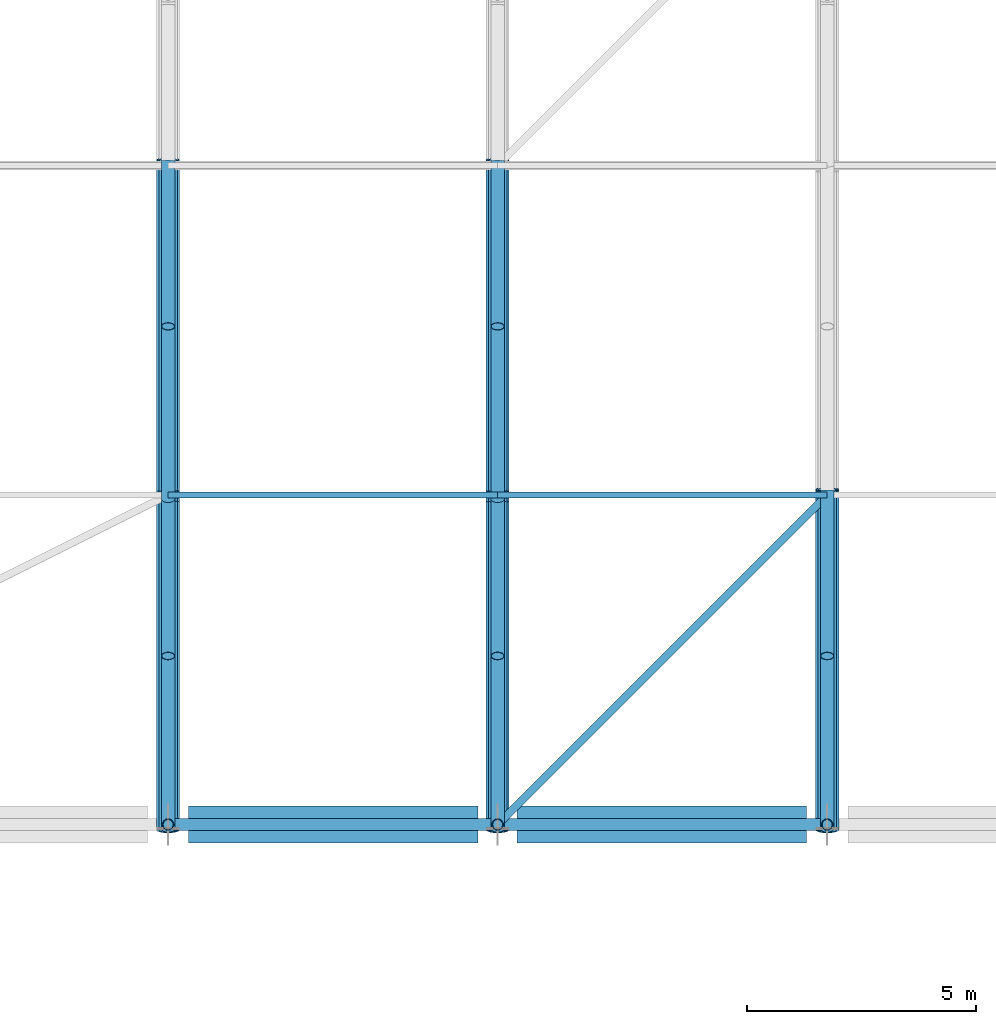
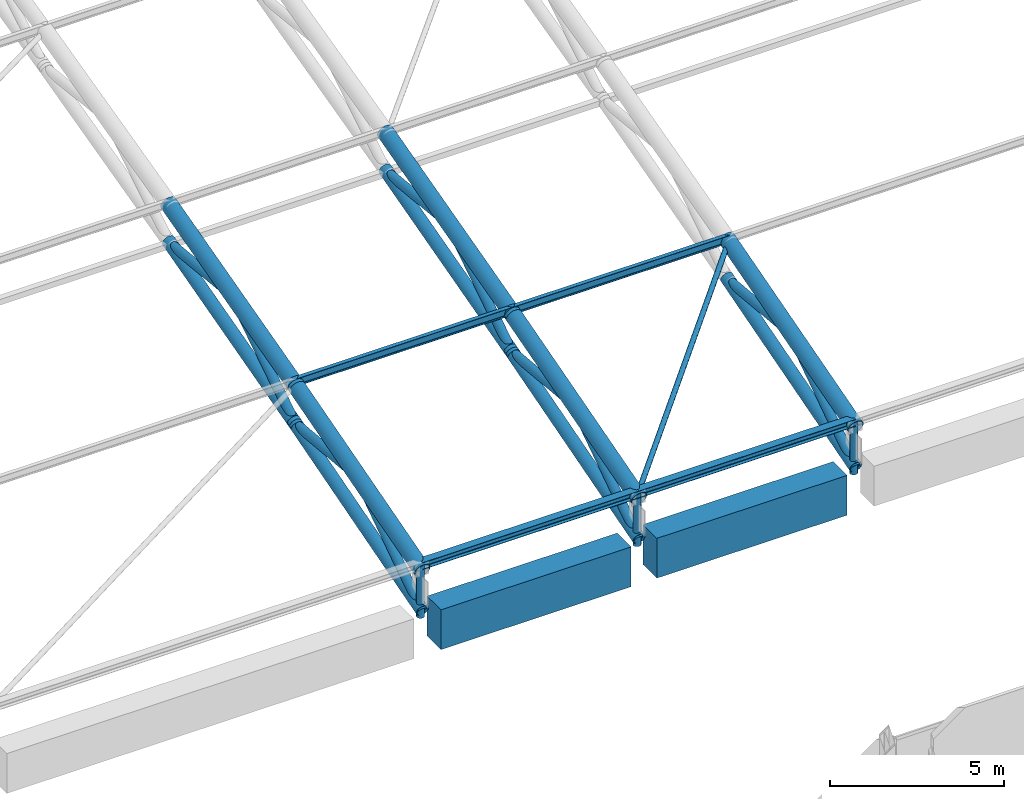
# One storey, part 28 of 193: 28 members, 2 beams.
"""IFC4 building model written with IfcOpenShell, lengths in metres."""

import ifcopenshell
import ifcopenshell.guid

model = None  # the IFC model being written
_history = None  # IfcOwnerHistory: only IFC2X3 demands one
_inside = {}  # id of a spatial element -> (the spatial element, [elements in it])
_under = {}  # id of a project, library or spatial element -> (it, [spatial elements below it])
_declared = {}  # id of a project -> (the project, [libraries it declares])
_typed = {}  # id of a type object -> (the type object, [elements of that type])
_made_of = {}  # id of a material, layer set ... -> (it, [elements and type objects made of it])


def new_model(schema):
    """Start an empty IFC model of exactly this schema.

    Asked for "IFC4X3", IfcOpenShell would pick the latest addendum, in which some entities
    have other attributes; the version numbers below select the first issue.
    IFC2X3 requires an IfcOwnerHistory on every rooted entity: one is made here for all.
    """
    global model, _history
    if schema == "IFC4X3":
        model = ifcopenshell.file(schema_version=(4, 3, 0, 0))
    else:
        model = ifcopenshell.file(schema=schema)
    _inside.clear()
    _under.clear()
    _declared.clear()
    _typed.clear()
    _made_of.clear()
    _history = None
    if model.schema == "IFC2X3":
        org = make("IfcOrganization", Name="unknown")
        user = make(
            "IfcPersonAndOrganization",
            ThePerson=make("IfcPerson", FamilyName="unknown"),
            TheOrganization=org,
        )
        app = make(
            "IfcApplication",
            ApplicationDeveloper=org,
            Version="unknown",
            ApplicationFullName="unknown",
            ApplicationIdentifier="unknown",
        )
        _history = make(
            "IfcOwnerHistory",
            OwningUser=user,
            OwningApplication=app,
            ChangeAction="ADDED",
            CreationDate=0,
        )
    return model


def make(cls, **values):
    """One entity of the class cls with the attributes given. An attribute that is None is left unset."""
    return model.create_entity(
        cls, **{name: value for name, value in values.items() if value is not None}
    )


def rooted(cls, **values):
    """An entity with a GlobalId (a new one), such as an element, a storey or a relation."""
    return make(cls, GlobalId=ifcopenshell.guid.new(), OwnerHistory=_history, **values)


def si_unit(unit_type, name, prefix=None):
    """IfcSIUnit, for example si_unit("LENGTHUNIT", "METRE", prefix="MILLI")."""
    return make("IfcSIUnit", UnitType=unit_type, Prefix=prefix, Name=name)


def assignment(units):
    """IfcUnitAssignment: the units of a project."""
    return None if units is None else make("IfcUnitAssignment", Units=units)


def point(xyz):
    """IfcCartesianPoint."""
    return None if xyz is None else make("IfcCartesianPoint", Coordinates=xyz)


def direction(xyz):
    """IfcDirection."""
    return None if xyz is None else make("IfcDirection", DirectionRatios=xyz)


def frame(location, z_axis=None, x_axis=None):
    """IfcAxis2Placement3D, a coordinate frame: its origin and axes. An axis left out is left unset."""
    return make(
        "IfcAxis2Placement3D",
        Location=point(location),
        Axis=direction(z_axis),
        RefDirection=direction(x_axis),
    )


def frame_2d(location, x_axis=None):
    """IfcAxis2Placement2D, a coordinate frame in the plane: its origin and x axis."""
    return make(
        "IfcAxis2Placement2D", Location=point(location), RefDirection=direction(x_axis)
    )


def origin():
    """The frame at (0, 0, 0) with its axes left unset."""
    return frame((0.0, 0.0, 0.0))


def origin_2d():
    """The frame at (0, 0) in the plane with its x axis left unset."""
    return frame_2d((0.0, 0.0))


def place(relative_to, where):
    """IfcLocalPlacement: puts the frame where relative to a parent placement (None: the world)."""
    return make(
        "IfcLocalPlacement", PlacementRelTo=relative_to, RelativePlacement=where
    )


def context(
    kind, dimensions, precision=None, world=None, true_north=None, identifier=None
):
    """IfcGeometricRepresentationContext, for example the 3D "Model" context."""
    return make(
        "IfcGeometricRepresentationContext",
        ContextIdentifier=identifier,
        ContextType=kind,
        CoordinateSpaceDimension=dimensions,
        Precision=precision,
        WorldCoordinateSystem=world,
        TrueNorth=true_north,
    )


def subcontext(parent, identifier, kind, view, scale=None):
    """IfcGeometricRepresentationSubContext, for example "Body" below "Model"."""
    return make(
        "IfcGeometricRepresentationSubContext",
        ContextIdentifier=identifier,
        ContextType=kind,
        ParentContext=parent,
        TargetScale=scale,
        TargetView=view,
    )


def project(units=None, contexts=None):
    """IfcProject with its units and contexts."""
    return rooted(
        "IfcProject",
        Name="project",
        RepresentationContexts=contexts,
        UnitsInContext=assignment(units),
    )


def spatial(cls, under=None, at=None, **own):
    """A site, building, storey or space (cls), placed at a placement, below another one or the project."""
    s = rooted(cls, ObjectPlacement=at, **own)
    if under is not None:
        _under.setdefault(under.id(), (under, []))[1].append(s)
    return s


def profile(cls, at=None, kind="AREA", **sizes):
    """A parametric profile (cls). Its sizes go by their IFC names, for example OverallWidth=200.0."""
    return make(cls, ProfileType=kind, Position=at, **sizes)


def rectangle(**sizes):
    """IfcRectangleProfileDef."""
    return profile("IfcRectangleProfileDef", **sizes)


def hollow_circle(**sizes):
    """IfcCircleHollowProfileDef."""
    return profile("IfcCircleHollowProfileDef", **sizes)


def i_section(**sizes):
    """IfcIShapeProfileDef."""
    return profile("IfcIShapeProfileDef", **sizes)


def extrude(swept, where, along, depth):
    """IfcExtrudedAreaSolid: the profile swept, set in the frame where, extruded along a direction by depth."""
    return make(
        "IfcExtrudedAreaSolid",
        SweptArea=swept,
        Position=where,
        ExtrudedDirection=direction(along),
        Depth=depth,
    )


def shape(context_of_items, identifier, shape_type, items):
    """IfcShapeRepresentation: the items that make up one representation, for example the "Body"."""
    return make(
        "IfcShapeRepresentation",
        ContextOfItems=context_of_items,
        RepresentationIdentifier=identifier,
        RepresentationType=shape_type,
        Items=items,
    )


def material(Name=None, Category=None):
    """IfcMaterial."""
    return make("IfcMaterial", Name=Name, Category=Category)


def material_profile(
    of_material, cross_section, Name=None, Category=None, Priority=None
):
    """IfcMaterialProfile: a cross section and its material."""
    return make(
        "IfcMaterialProfile",
        Name=Name,
        Material=of_material,
        Profile=cross_section,
        Priority=Priority,
        Category=Category,
    )


def profile_set(profiles, Name=None, composite=None):
    """IfcMaterialProfileSet."""
    return make(
        "IfcMaterialProfileSet",
        Name=Name,
        MaterialProfiles=profiles,
        CompositeProfile=composite,
    )


def made_of(thing, what):
    """Note that an element or type object is made of a material, layer set ...; save() writes the relation."""
    if what is not None:
        _made_of.setdefault(what.id(), (what, []))[1].append(thing)
    return thing


def type_object(cls, material=None, **own):
    """A type object (cls), such as IfcWallType, which elements share."""
    return made_of(rooted(cls, **own), material)


def element(
    cls,
    number,
    at=None,
    inside=None,
    cuts=None,
    type_object=None,
    material=None,
    context=None,
    identifier="Body",
    shape_type=None,
    held_by="IfcProductDefinitionShape",
    body=None,
    shapes=None,
    **own,
):
    """One element of the class cls, such as IfcWall. Its Tag is "e" and its number.

    at: its placement. inside: the storey or other place that contains it. cuts: it is an
    opening in that element (IfcRelVoidsElement). A single representation is given by context,
    identifier, shape_type and body (its items); several are given by shapes. held_by: the class
    of the entity that holds the representations. save() writes the other relations.
    """
    e = rooted(cls, Tag="e%d" % number, ObjectPlacement=at, **own)
    if body is not None:
        shapes = [shape(context, identifier, shape_type, body)]
    if shapes is not None:
        e.Representation = make(held_by, Representations=shapes)
    if inside is not None:
        _inside.setdefault(inside.id(), (inside, []))[1].append(e)
    if cuts is not None:
        rooted(
            "IfcRelVoidsElement", RelatingBuildingElement=cuts, RelatedOpeningElement=e
        )
    if type_object is not None:
        _typed.setdefault(type_object.id(), (type_object, []))[1].append(e)
    return made_of(e, material)


def aggregate(whole, parts):
    """IfcRelAggregates: a whole, such as a stair, and the parts it consists of."""
    return rooted("IfcRelAggregates", RelatingObject=whole, RelatedObjects=parts)


def save(model, path):
    """Write the relations noted so far, then the file.

    IfcRelAggregates (storeys below a building ...), IfcRelContainedInSpatialStructure (elements
    in a storey), IfcRelDefinesByType, IfcRelAssociatesMaterial and IfcRelDeclares: one each for
    every whole, place, type object, material and project.
    """
    for whole, parts in _under.values():
        aggregate(whole, parts)
    for where, things in _inside.values():
        rooted(
            "IfcRelContainedInSpatialStructure",
            RelatedElements=things,
            RelatingStructure=where,
        )
    for kind, things in _typed.values():
        rooted("IfcRelDefinesByType", RelatedObjects=things, RelatingType=kind)
    for what, things in _made_of.values():
        rooted("IfcRelAssociatesMaterial", RelatedObjects=things, RelatingMaterial=what)
    for by, libraries in _declared.values():
        rooted("IfcRelDeclares", RelatingContext=by, RelatedDefinitions=libraries)
    model.write(path)


model = new_model("IFC4")

# Units and contexts
model_context = context("Model", 3, precision=1e-05, world=origin(), true_north=direction((0.0, 1.0)))
body_context = subcontext(model_context, "Body", "Model", "MODEL_VIEW")
ifc_project = project(units=[si_unit("LENGTHUNIT", "METRE"), si_unit("AREAUNIT", "SQUARE_METRE"), si_unit("VOLUMEUNIT", "CUBIC_METRE"), si_unit("PLANEANGLEUNIT", "RADIAN"), si_unit("MASSUNIT", "GRAM", prefix="KILO")], contexts=[model_context])

# Site, building, storey
site_placement = place(None, origin())
site = spatial("IfcSite", under=ifc_project, at=site_placement, CompositionType="ELEMENT")
building_placement = place(site_placement, origin())
building = spatial("IfcBuilding", under=site, at=building_placement, Name="Cendralis Lancet Convention Centre", CompositionType="ELEMENT")
storey_placement = place(building_placement, frame((0.0, 0.0, 10.199951171875)))
storey = spatial("IfcBuildingStorey", under=building, at=storey_placement, Name="L02", CompositionType="ELEMENT", Elevation=10.199951171875)

# Beams
ifc_material_1 = material(Name="Concrete G40 (C40/50)", Category="concrete")
ifc_material_profile_1 = material_profile(ifc_material_1, rectangle(XDim=0.800048828125, YDim=1.39990234375, at=origin_2d()), Name="RCB 800x1400")
ifc_profile_set_1 = profile_set([ifc_material_profile_1], Name="Concrete G40 (C40/50)")
beam_type = type_object("IfcBeamType", Name="STR-BM-BG17", PredefinedType="BEAM", material=ifc_profile_set_1)
for number, where, z_axis, x_axis, name in (
    (1, (36.449951171875, 50.39990234375, 1.5), (1.0, 0.0, 0.0), (0.0, 1.0, 0.0), "L02 Beam BG17 #1313"),
    (2, (43.625, 50.39990234375, 1.5), (1.0, 0.0, 0.0), (0.0, 1.0, 0.0), "L02 Beam BG17 #1314"),
):
    element("IfcBeam", number, at=place(storey_placement, frame(where, z_axis=z_axis, x_axis=x_axis)), inside=storey, type_object=beam_type, Name=name, PredefinedType="BEAM", context=body_context, shape_type="SweptSolid", body=[
        extrude(rectangle(XDim=0.800048828125, YDim=1.39990234375, at=origin_2d()), origin(), (0.0, 0.0, 1.0), 6.324951171875),
    ])

# Members
ifc_material_2 = material(Name="Steel S355", Category="steel")
ifc_material_profile_2 = material_profile(ifc_material_2, hollow_circle(Radius=0.084228515625, WallThickness=0.008056640625, at=origin_2d()), Name="CHS 168.3x8.0")
ifc_profile_set_2 = profile_set([ifc_material_profile_2], Name="Steel S355")
member_type_1 = type_object("IfcMemberType", Name="STR-BR-RB01", PredefinedType="BRACE", material=ifc_profile_set_2)
member_1_placement = place(storey_placement, frame((43.199951171875, 50.39990234375, 3.60009765625), z_axis=(0.69309844049, 0.693121942522, 0.197981121789), x_axis=(-0.7071187694, 0.70709479277, 0.0)))
element("IfcMember", 3, at=member_1_placement, inside=storey, type_object=member_type_1, Name="Roof Diaphragm Brace RB01 V1-05-00A", PredefinedType="BRACE", context=body_context, shape_type="SweptSolid", body=[
    extrude(hollow_circle(Radius=0.084228515625, WallThickness=0.008056640625, at=origin_2d()), origin(), (0.0, 0.0, 1.0), 10.38818359375),
])
ifc_material_profile_3 = material_profile(ifc_material_2, i_section(OverallWidth=0.135009765625, OverallDepth=0.27001953125, WebThickness=0.006591796875, FlangeThickness=0.01025390625, FilletRadius=0.014892578125, at=origin_2d()), Name="IPE 270")
ifc_profile_set_3 = profile_set([ifc_material_profile_3], Name="Steel S355")
member_type_2 = type_object("IfcMemberType", Name="STR-PR-PR01", PredefinedType="PURLIN", material=ifc_profile_set_3)
for number, where, z_axis, x_axis, name in (
    (4, (36.0, 57.60009765625, 5.771728515625), (1.0, 0.0, 0.0), (0.0, 1.0, 0.0), "Vault Roof Purlin PR01 V1-04-01"),
    (5, (43.199951171875, 57.60009765625, 5.771728515625), (1.0, 0.0, 0.0), (0.0, 1.0, 0.0), "Vault Roof Purlin PR01 V1-05-01"),
):
    element("IfcMember", number, at=place(storey_placement, frame(where, z_axis=z_axis, x_axis=x_axis)), inside=storey, type_object=member_type_2, Name=name, PredefinedType="PURLIN", context=body_context, shape_type="SweptSolid", body=[
        extrude(i_section(OverallWidth=0.135009765625, OverallDepth=0.27001953125, WebThickness=0.006591796875, FlangeThickness=0.01025390625, FilletRadius=0.014892578125, at=origin_2d()), origin(), (0.0, 0.0, 1.0), 7.199951171875),
    ])
ifc_material_profile_4 = material_profile(ifc_material_2, i_section(OverallWidth=0.260009765625, OverallDepth=0.25, WebThickness=0.007568359375, FlangeThickness=0.012451171875, FilletRadius=0.02392578125, at=origin_2d()), Name="HEA 260")
ifc_profile_set_4 = profile_set([ifc_material_profile_4], Name="Steel S355")
member_type_3 = type_object("IfcMemberType", Name="STR-PR-PR07", PredefinedType="PURLIN", material=ifc_profile_set_4)
for number, where, z_axis, x_axis, name in (
    (6, (36.0, 50.39990234375, 3.72509765625), (1.0, 0.0, 0.0), (0.0, 1.0, 0.0), "Vault Roof Purlin PR07 V1-04-00"),
    (7, (43.199951171875, 50.39990234375, 3.72509765625), (1.0, 0.0, 0.0), (0.0, 1.0, 0.0), "Vault Roof Purlin PR07 V1-05-00"),
):
    element("IfcMember", number, at=place(storey_placement, frame(where, z_axis=z_axis, x_axis=x_axis)), inside=storey, type_object=member_type_3, Name=name, PredefinedType="PURLIN", context=body_context, shape_type="SweptSolid", body=[
        extrude(i_section(OverallWidth=0.260009765625, OverallDepth=0.25, WebThickness=0.007568359375, FlangeThickness=0.012451171875, FilletRadius=0.02392578125, at=origin_2d()), origin(), (0.0, 0.0, 1.0), 7.199951171875),
    ])
ifc_material_profile_5 = material_profile(ifc_material_2, hollow_circle(Radius=0.203125, WallThickness=0.01611328125, at=origin_2d()), Name="CHS 406.4x16.0")
ifc_profile_set_5 = profile_set([ifc_material_profile_5], Name="Steel S355")
member_type_4 = type_object("IfcMemberType", Name="STR-TR-BC01-INT", PredefinedType="CHORD", material=ifc_profile_set_5)
member_2_placement = place(storey_placement, frame((36.0, 50.284912109375, 2.16650390625), z_axis=(0.0, 0.960208219649, 0.279285114028), x_axis=(-1.0, 0.0, 0.0)))
element("IfcMember", 8, at=member_2_placement, inside=storey, type_object=member_type_4, Name="ROOF TRUSS AT-V1-05 Bottom Chord 00", PredefinedType="CHORD", context=body_context, shape_type="SweptSolid", body=[
    extrude(hollow_circle(Radius=0.203125, WallThickness=0.01611328125, at=origin_2d()), origin(), (0.0, 0.0, 1.0), 7.738037109375),
])
member_3_placement = place(storey_placement, frame((36.0, 57.484130859375, 4.262451171875), z_axis=(0.0, 0.964987331955, 0.262296490953), x_axis=(-1.0, 0.0, 0.0)))
element("IfcMember", 9, at=member_3_placement, inside=storey, type_object=member_type_4, Name="ROOF TRUSS AT-V1-05 Bottom Chord 01", PredefinedType="CHORD", context=body_context, shape_type="SweptSolid", body=[
    extrude(hollow_circle(Radius=0.203125, WallThickness=0.01611328125, at=origin_2d()), origin(), (0.0, 0.0, 1.0), 7.701171875),
])
member_4_placement = place(storey_placement, frame((43.199951171875, 50.284912109375, 2.16650390625), z_axis=(0.0, 0.960208219649, 0.279285114028), x_axis=(-1.0, 0.0, 0.0)))
element("IfcMember", 10, at=member_4_placement, inside=storey, type_object=member_type_4, Name="ROOF TRUSS AT-V1-06 Bottom Chord 00", PredefinedType="CHORD", context=body_context, shape_type="SweptSolid", body=[
    extrude(hollow_circle(Radius=0.203125, WallThickness=0.01611328125, at=origin_2d()), origin(), (0.0, 0.0, 1.0), 7.738037109375),
])
member_5_placement = place(storey_placement, frame((43.199951171875, 57.484130859375, 4.262451171875), z_axis=(0.0, 0.964987331955, 0.262296490953), x_axis=(-1.0, 0.0, 0.0)))
element("IfcMember", 11, at=member_5_placement, inside=storey, type_object=member_type_4, Name="ROOF TRUSS AT-V1-06 Bottom Chord 01", PredefinedType="CHORD", context=body_context, shape_type="SweptSolid", body=[
    extrude(hollow_circle(Radius=0.203125, WallThickness=0.01611328125, at=origin_2d()), origin(), (0.0, 0.0, 1.0), 7.701171875),
])
member_6_placement = place(storey_placement, frame((50.39990234375, 50.284912109375, 2.16650390625), z_axis=(0.0, 0.960208219649, 0.279285114028), x_axis=(-1.0, 0.0, 0.0)))
element("IfcMember", 12, at=member_6_placement, inside=storey, type_object=member_type_4, Name="ROOF TRUSS AT-V1-07 Bottom Chord 00", PredefinedType="CHORD", context=body_context, shape_type="SweptSolid", body=[
    extrude(hollow_circle(Radius=0.203125, WallThickness=0.01611328125, at=origin_2d()), origin(), (0.0, 0.0, 1.0), 7.738037109375),
])
ifc_material_profile_6 = material_profile(ifc_material_2, hollow_circle(Radius=0.25390625, WallThickness=0.02001953125, at=origin_2d()), Name="CHS 508.0x20.0")
ifc_profile_set_6 = profile_set([ifc_material_profile_6], Name="Steel S355")
member_type_5 = type_object("IfcMemberType", Name="STR-TR-TC01-INT", PredefinedType="CHORD", material=ifc_profile_set_6)
member_7_placement = place(storey_placement, frame((36.0, 50.28466796875, 3.567138671875), z_axis=(0.0, 0.961540636093, 0.274662711598), x_axis=(-1.0, 0.0, 0.0)))
element("IfcMember", 13, at=member_7_placement, inside=storey, type_object=member_type_5, Name="ROOF TRUSS AT-V1-05 Top Chord 00", PredefinedType="CHORD", context=body_context, shape_type="SweptSolid", body=[
    extrude(hollow_circle(Radius=0.25390625, WallThickness=0.02001953125, at=origin_2d()), origin(), (0.0, 0.0, 1.0), 7.727783203125),
])
member_8_placement = place(storey_placement, frame((36.0, 57.484130859375, 5.625732421875), z_axis=(0.0, 0.966247582415, 0.257615235337), x_axis=(-1.0, 0.0, 0.0)))
element("IfcMember", 14, at=member_8_placement, inside=storey, type_object=member_type_5, Name="ROOF TRUSS AT-V1-05 Top Chord 01", PredefinedType="CHORD", context=body_context, shape_type="SweptSolid", body=[
    extrude(hollow_circle(Radius=0.25390625, WallThickness=0.02001953125, at=origin_2d()), origin(), (0.0, 0.0, 1.0), 7.69140625),
])
member_9_placement = place(storey_placement, frame((43.199951171875, 50.28466796875, 3.567138671875), z_axis=(0.0, 0.961540636093, 0.274662711598), x_axis=(-1.0, 0.0, 0.0)))
element("IfcMember", 15, at=member_9_placement, inside=storey, type_object=member_type_5, Name="ROOF TRUSS AT-V1-06 Top Chord 00", PredefinedType="CHORD", context=body_context, shape_type="SweptSolid", body=[
    extrude(hollow_circle(Radius=0.25390625, WallThickness=0.02001953125, at=origin_2d()), origin(), (0.0, 0.0, 1.0), 7.727783203125),
])
member_10_placement = place(storey_placement, frame((43.199951171875, 57.484130859375, 5.625732421875), z_axis=(0.0, 0.966247582415, 0.257615235337), x_axis=(-1.0, 0.0, 0.0)))
element("IfcMember", 16, at=member_10_placement, inside=storey, type_object=member_type_5, Name="ROOF TRUSS AT-V1-06 Top Chord 01", PredefinedType="CHORD", context=body_context, shape_type="SweptSolid", body=[
    extrude(hollow_circle(Radius=0.25390625, WallThickness=0.02001953125, at=origin_2d()), origin(), (0.0, 0.0, 1.0), 7.69140625),
])
member_11_placement = place(storey_placement, frame((50.39990234375, 50.28466796875, 3.567138671875), z_axis=(0.0, 0.961540636093, 0.274662711598), x_axis=(-1.0, 0.0, 0.0)))
element("IfcMember", 17, at=member_11_placement, inside=storey, type_object=member_type_5, Name="ROOF TRUSS AT-V1-07 Top Chord 00", PredefinedType="CHORD", context=body_context, shape_type="SweptSolid", body=[
    extrude(hollow_circle(Radius=0.25390625, WallThickness=0.02001953125, at=origin_2d()), origin(), (0.0, 0.0, 1.0), 7.727783203125),
])
ifc_material_profile_7 = material_profile(ifc_material_2, hollow_circle(Radius=0.149169921875, WallThickness=0.012451171875, at=origin_2d()), Name="CHS 298.5x12.5")
ifc_profile_set_7 = profile_set([ifc_material_profile_7], Name="Steel S355")
member_type_6 = type_object("IfcMemberType", Name="STR-TR-WD01-INT", PredefinedType="BRACE", material=ifc_profile_set_7)
member_12_placement = place(storey_placement, frame((36.0, 50.317138671875, 2.14404296875), z_axis=(0.0, 0.829019978373, 0.559218987032), x_axis=(-1.0, 0.0, 0.0)))
element("IfcMember", 18, at=member_12_placement, inside=storey, type_object=member_type_6, Name="ROOF TRUSS AT-V1-05 Warren Web 00-0", PredefinedType="BRACE", context=body_context, shape_type="SweptSolid", body=[
    extrude(hollow_circle(Radius=0.149169921875, WallThickness=0.012451171875, at=origin_2d()), origin(), (0.0, 0.0, 1.0), 4.54248046875),
])
member_13_placement = place(storey_placement, frame((36.0, 53.900390625, 4.6376953125), z_axis=(0.0, 0.995716709116, -0.092456666539), x_axis=(-1.0, 0.0, 0.0)))
element("IfcMember", 19, at=member_13_placement, inside=storey, type_object=member_type_6, Name="ROOF TRUSS AT-V1-05 Warren Web 00-1", PredefinedType="BRACE", context=body_context, shape_type="SweptSolid", body=[
    extrude(hollow_circle(Radius=0.149169921875, WallThickness=0.012451171875, at=origin_2d()), origin(), (0.0, 0.0, 1.0), 3.815673828125),
])
member_14_placement = place(storey_placement, frame((36.0, 57.51611328125, 4.23974609375), z_axis=(0.0, 0.840291047389, 0.542135551018), x_axis=(-1.0, 0.0, 0.0)))
element("IfcMember", 20, at=member_14_placement, inside=storey, type_object=member_type_6, Name="ROOF TRUSS AT-V1-05 Warren Web 01-0", PredefinedType="BRACE", context=body_context, shape_type="SweptSolid", body=[
    extrude(hollow_circle(Radius=0.149169921875, WallThickness=0.012451171875, at=origin_2d()), origin(), (0.0, 0.0, 1.0), 4.48388671875),
])
member_15_placement = place(storey_placement, frame((36.0, 61.1005859375, 6.626708984375), z_axis=(0.0, 0.99488409704, -0.101022935304), x_axis=(-1.0, 0.0, 0.0)))
element("IfcMember", 21, at=member_15_placement, inside=storey, type_object=member_type_6, Name="ROOF TRUSS AT-V1-05 Warren Web 01-1", PredefinedType="BRACE", context=body_context, shape_type="SweptSolid", body=[
    extrude(hollow_circle(Radius=0.149169921875, WallThickness=0.012451171875, at=origin_2d()), origin(), (0.0, 0.0, 1.0), 3.818359375),
])
member_16_placement = place(storey_placement, frame((43.199951171875, 50.317138671875, 2.14404296875), z_axis=(0.0, 0.829019978373, 0.559218987032), x_axis=(-1.0, 0.0, 0.0)))
element("IfcMember", 22, at=member_16_placement, inside=storey, type_object=member_type_6, Name="ROOF TRUSS AT-V1-06 Warren Web 00-0", PredefinedType="BRACE", context=body_context, shape_type="SweptSolid", body=[
    extrude(hollow_circle(Radius=0.149169921875, WallThickness=0.012451171875, at=origin_2d()), origin(), (0.0, 0.0, 1.0), 4.54248046875),
])
member_17_placement = place(storey_placement, frame((43.199951171875, 53.900390625, 4.6376953125), z_axis=(0.0, 0.995716709116, -0.092456666539), x_axis=(-1.0, 0.0, 0.0)))
element("IfcMember", 23, at=member_17_placement, inside=storey, type_object=member_type_6, Name="ROOF TRUSS AT-V1-06 Warren Web 00-1", PredefinedType="BRACE", context=body_context, shape_type="SweptSolid", body=[
    extrude(hollow_circle(Radius=0.149169921875, WallThickness=0.012451171875, at=origin_2d()), origin(), (0.0, 0.0, 1.0), 3.815673828125),
])
member_18_placement = place(storey_placement, frame((43.199951171875, 57.51611328125, 4.23974609375), z_axis=(0.0, 0.840291047389, 0.542135551018), x_axis=(-1.0, 0.0, 0.0)))
element("IfcMember", 24, at=member_18_placement, inside=storey, type_object=member_type_6, Name="ROOF TRUSS AT-V1-06 Warren Web 01-0", PredefinedType="BRACE", context=body_context, shape_type="SweptSolid", body=[
    extrude(hollow_circle(Radius=0.149169921875, WallThickness=0.012451171875, at=origin_2d()), origin(), (0.0, 0.0, 1.0), 4.48388671875),
])
member_19_placement = place(storey_placement, frame((43.199951171875, 61.1005859375, 6.626708984375), z_axis=(0.0, 0.99488409704, -0.101022935304), x_axis=(-1.0, 0.0, 0.0)))
element("IfcMember", 25, at=member_19_placement, inside=storey, type_object=member_type_6, Name="ROOF TRUSS AT-V1-06 Warren Web 01-1", PredefinedType="BRACE", context=body_context, shape_type="SweptSolid", body=[
    extrude(hollow_circle(Radius=0.149169921875, WallThickness=0.012451171875, at=origin_2d()), origin(), (0.0, 0.0, 1.0), 3.818359375),
])
member_20_placement = place(storey_placement, frame((50.39990234375, 50.317138671875, 2.14404296875), z_axis=(0.0, 0.829019978373, 0.559218987032), x_axis=(-1.0, 0.0, 0.0)))
element("IfcMember", 26, at=member_20_placement, inside=storey, type_object=member_type_6, Name="ROOF TRUSS AT-V1-07 Warren Web 00-0", PredefinedType="BRACE", context=body_context, shape_type="SweptSolid", body=[
    extrude(hollow_circle(Radius=0.149169921875, WallThickness=0.012451171875, at=origin_2d()), origin(), (0.0, 0.0, 1.0), 4.54248046875),
])
member_21_placement = place(storey_placement, frame((50.39990234375, 53.900390625, 4.6376953125), z_axis=(0.0, 0.995716709116, -0.092456666539), x_axis=(-1.0, 0.0, 0.0)))
element("IfcMember", 27, at=member_21_placement, inside=storey, type_object=member_type_6, Name="ROOF TRUSS AT-V1-07 Warren Web 00-1", PredefinedType="BRACE", context=body_context, shape_type="SweptSolid", body=[
    extrude(hollow_circle(Radius=0.149169921875, WallThickness=0.012451171875, at=origin_2d()), origin(), (0.0, 0.0, 1.0), 3.815673828125),
])
ifc_material_profile_8 = material_profile(ifc_material_2, hollow_circle(Radius=0.122314453125, WallThickness=0.010009765625, at=origin_2d()), Name="CHS 244.5x10.0")
ifc_profile_set_8 = profile_set([ifc_material_profile_8], Name="Steel S355")
member_type_7 = type_object("IfcMemberType", Name="STR-TR-WV01-INT", PredefinedType="POST", material=ifc_profile_set_8)
for number, where, z_axis, x_axis, name in (
    (28, (36.0, 50.39990234375, 1.900146484375), (0.0, 0.0, 1.0), (1.0, 0.0, 0.0), "ROOF TRUSS AT-V1-05 Springing Post N00"),
    (29, (43.199951171875, 50.39990234375, 1.900146484375), (0.0, 0.0, 1.0), (1.0, 0.0, 0.0), "ROOF TRUSS AT-V1-06 Springing Post N00"),
    (30, (50.39990234375, 50.39990234375, 1.900146484375), (0.0, 0.0, 1.0), (1.0, 0.0, 0.0), "ROOF TRUSS AT-V1-07 Springing Post N00"),
):
    element("IfcMember", number, at=place(storey_placement, frame(where, z_axis=z_axis, x_axis=x_axis)), inside=storey, type_object=member_type_7, Name=name, PredefinedType="POST", context=body_context, shape_type="SweptSolid", body=[
        extrude(hollow_circle(Radius=0.122314453125, WallThickness=0.010009765625, at=origin_2d()), origin(), (0.0, 0.0, 1.0), 1.919921875),
    ])

save(model, "model.ifc")
